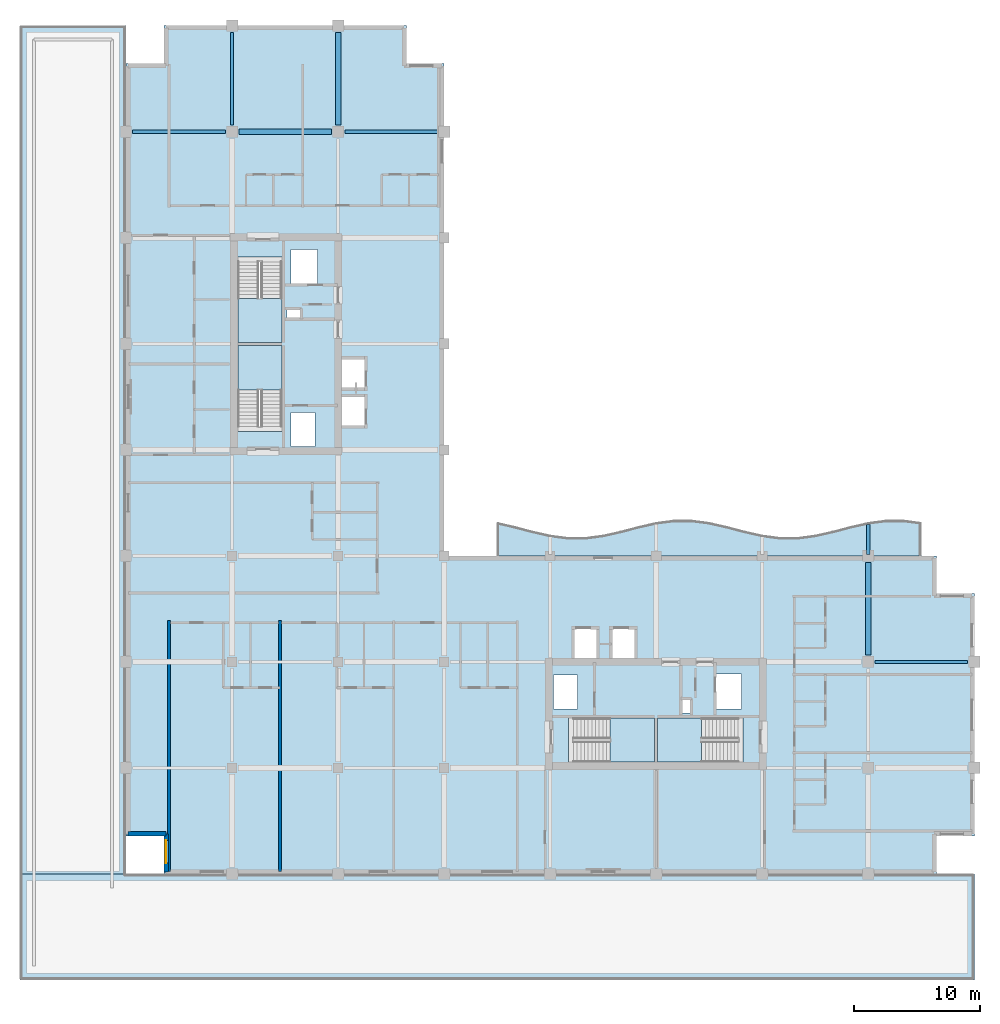
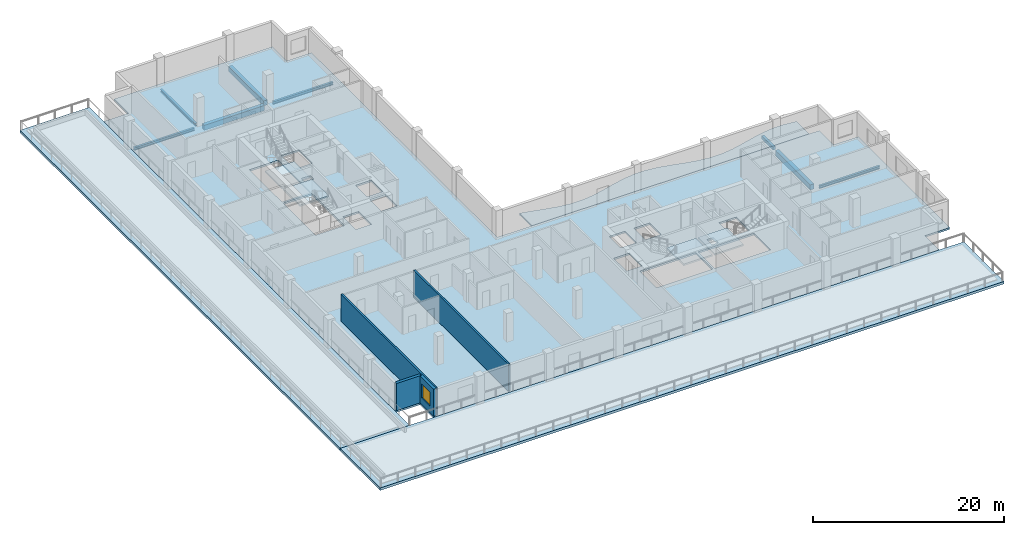
# One storey, part 2 of 13: 8 beams, 8 slabs, 4 walls, 1 window, 1 opening, 4 elements without a shape of their own.
"""IFC4 building model written with IfcOpenShell, lengths in metres."""

from ifc_helpers import new_model, si_unit, direction, frame, frame_2d, origin, origin_2d, place, context, subcontext, project, spatial, polyline, rectangle, i_section, outline, extrude, material, layer, layer_set, material_profile, profile_set, type_object, element, fill, aggregate, save


model = new_model("IFC4")

# Units and contexts
model_context = context("Model", 3, precision=1e-05, world=origin(), true_north=direction((0.0, 1.0)))
body_context = subcontext(model_context, "Body", "Model", "MODEL_VIEW")
ifc_project = project(units=[si_unit("LENGTHUNIT", "METRE"), si_unit("AREAUNIT", "SQUARE_METRE"), si_unit("VOLUMEUNIT", "CUBIC_METRE"), si_unit("PLANEANGLEUNIT", "RADIAN"), si_unit("MASSUNIT", "GRAM", prefix="KILO")], contexts=[model_context])

# Site, building, storey
site_placement = place(None, origin())
site = spatial("IfcSite", under=ifc_project, at=site_placement, CompositionType="ELEMENT")
building_placement = place(site_placement, origin())
building = spatial("IfcBuilding", under=site, at=building_placement, Name="Koriwani Terraces Tower", CompositionType="ELEMENT")
storey_placement = place(building_placement, frame((0.0, 0.0, 234.199951171875)))
storey = spatial("IfcBuildingStorey", under=building, at=storey_placement, Name="L57", CompositionType="ELEMENT", Elevation=234.199951171875)

# Beams
ifc_material_1 = material(Name="Concrete C40/50", Category="concrete")
ifc_material_profile_1 = material_profile(ifc_material_1, rectangle(XDim=0.300048828125, YDim=0.39990234375, at=origin_2d()), Name="Concrete C40/50", Category="LoadBearing")
ifc_profile_set_1 = profile_set([ifc_material_profile_1], Name="Concrete C40/50")
beam_type_1 = type_object("IfcBeamType", Name="BEAM_RC_BALCONY_RIB_300X400", PredefinedType="JOIST", material=ifc_profile_set_1)
beam_1_placement = place(storey_placement, frame((67.199951171875, 33.699951171875, -0.429931640625), z_axis=(0.0, 1.0, 0.0), x_axis=(-1.0, 0.0, 0.0)))
element("IfcBeam", 1, at=beam_1_placement, inside=storey, type_object=beam_type_1, Name="L57 Balcony Bracket Rib NE-4", PredefinedType="JOIST", context=body_context, shape_type="SweptSolid", body=[
    extrude(rectangle(XDim=0.300048828125, YDim=0.39990234375, at=origin_2d()), origin(), (0.0, 0.0, 1.0), 2.39208984375),
])
ifc_material_2 = material(Name="Concrete C50/60", Category="concrete")
ifc_material_profile_2 = material_profile(ifc_material_2, rectangle(XDim=0.449951171875, YDim=0.64990234375, at=origin_2d()), Name="Concrete C50/60", Category="LoadBearing")
ifc_profile_set_2 = profile_set([ifc_material_profile_2], Name="Concrete C50/60")
beam_type_2 = type_object("IfcBeamType", Name="BEAM_RC_GRID_450X650", PredefinedType="BEAM", material=ifc_profile_set_2)
beam_2_placement = place(storey_placement, frame((17.330078125, 67.199951171875, -0.554931640625), z_axis=(1.0, 0.0, 0.0), x_axis=(0.0, 1.0, 0.0)))
element("IfcBeam", 2, at=beam_2_placement, inside=storey, type_object=beam_type_2, Name="L57 Grid Beam I (16.8-25.2m)", PredefinedType="BEAM", context=body_context, shape_type="SweptSolid", body=[
    extrude(rectangle(XDim=0.449951171875, YDim=0.64990234375, at=origin_2d()), origin(), (0.0, 0.0, 1.0), 7.33984375),
])
for number, where, z_axis, x_axis, name in (
    (3, (25.199951171875, 67.72998046875, -0.554931640625), (0.0, 1.0, 0.0), (-1.0, 0.0, 0.0), "L57 Grid Beam 4 (67.2-75.6m)"),
    (4, (67.199951171875, 25.72998046875, -0.554931640625), (0.0, 1.0, 0.0), (-1.0, 0.0, 0.0), "L57 Grid Beam 9 (25.2-33.6m)"),
):
    element("IfcBeam", number, at=place(storey_placement, frame(where, z_axis=z_axis, x_axis=x_axis)), inside=storey, type_object=beam_type_2, Name=name, PredefinedType="BEAM", context=body_context, shape_type="SweptSolid", body=[
        extrude(rectangle(XDim=0.449951171875, YDim=0.64990234375, at=origin_2d()), origin(), (0.0, 0.0, 1.0), 7.340087890625),
    ])
ifc_material_3 = material(Name="Steel ASTM A572 Grade 50", Category="steel")
ifc_material_profile_3 = material_profile(ifc_material_3, i_section(OverallWidth=0.257080078125, OverallDepth=0.363037109375, WebThickness=0.012939453125, FlangeThickness=0.021728515625, at=origin_2d()), Name="Steel ASTM A572 Grade 50", Category="LoadBearing")
ifc_profile_set_3 = profile_set([ifc_material_profile_3], Name="Steel ASTM A572 Grade 50")
beam_type_3 = type_object("IfcBeamType", Name="STEEL_BEAM_W360X122", PredefinedType="JOIST", material=ifc_profile_set_3)
for number, where, z_axis, x_axis, name in (
    (5, (67.72998046875, 25.199951171875, -0.411376953125), (1.0, 0.0, 0.0), (0.0, 1.0, 0.0), "L57 Grid Beam D (67.2-75.6m)"),
    (6, (8.929931640625, 67.199951171875, -0.411376953125), (1.0, 0.0, 0.0), (0.0, 1.0, 0.0), "L57 Grid Beam I (8.4-16.8m)"),
    (7, (25.72998046875, 67.199951171875, -0.411376953125), (1.0, 0.0, 0.0), (0.0, 1.0, 0.0), "L57 Grid Beam I (25.2-33.6m)"),
    (8, (16.800048828125, 67.72998046875, -0.411376953125), (0.0, 1.0, 0.0), (-1.0, 0.0, 0.0), "L57 Grid Beam 3 (67.2-75.6m)"),
):
    element("IfcBeam", number, at=place(storey_placement, frame(where, z_axis=z_axis, x_axis=x_axis)), inside=storey, type_object=beam_type_3, Name=name, PredefinedType="JOIST", context=body_context, shape_type="SweptSolid", body=[
        extrude(i_section(OverallWidth=0.257080078125, OverallDepth=0.363037109375, WebThickness=0.012939453125, FlangeThickness=0.021728515625, at=origin_2d()), origin(), (0.0, 0.0, 1.0), 7.340087890625),
    ])

# Slabs
ifc_layer_1 = layer(ifc_material_1, 0.219970703125, Name="Concrete C40/50")
ifc_layer_set_1 = layer_set([ifc_layer_1], Name="Concrete C40/50")
slab_type_1 = type_object("IfcSlabType", Name="SLAB_BALCONY_220", PredefinedType="FLOOR", material=ifc_layer_set_1)
slab_1_placement = place(storey_placement, frame((0.0, 0.0, -0.219970703125)))
element("IfcSlab", 9, at=slab_1_placement, inside=storey, type_object=slab_type_1, Name="L57 Quilted Circular-Arc Balcony (NE)", PredefinedType="FLOOR", context=body_context, shape_type="SweptSolid", body=[
    extrude(outline(polyline([(71.39990234375, 33.60009765625), (70.0, 33.60009765625), (68.60009765625, 33.60009765625), (67.199951171875, 33.60009765625), (65.800048828125, 33.60009765625), (64.39990234375, 33.60009765625), (63.0, 33.60009765625), (61.60009765625, 33.60009765625), (60.199951171875, 33.60009765625), (58.800048828125, 33.60009765625), (57.39990234375, 33.60009765625), (56.0, 33.60009765625), (54.60009765625, 33.60009765625), (53.199951171875, 33.60009765625), (51.800048828125, 33.60009765625), (50.39990234375, 33.60009765625), (49.0, 33.60009765625), (47.60009765625, 33.60009765625), (46.199951171875, 33.60009765625), (44.800048828125, 33.60009765625), (43.39990234375, 33.60009765625), (42.0, 33.60009765625), (40.60009765625, 33.60009765625), (39.199951171875, 33.60009765625), (37.800048828125, 33.60009765625), (37.800048828125, 36.241943359375), (39.199951171875, 35.923828125), (40.60009765625, 35.55615234375), (42.0, 35.238037109375), (43.39990234375, 35.05419921875), (44.800048828125, 35.05419921875), (46.199951171875, 35.238037109375), (47.60009765625, 35.55615234375), (49.0, 35.923828125), (50.39990234375, 36.241943359375), (51.800048828125, 36.42578125), (53.199951171875, 36.42578125), (54.60009765625, 36.241943359375), (56.0, 35.923828125), (57.39990234375, 35.55615234375), (58.800048828125, 35.238037109375), (60.199951171875, 35.05419921875), (61.60009765625, 35.05419921875), (63.0, 35.238037109375), (64.39990234375, 35.55615234375), (65.800048828125, 35.923828125), (67.199951171875, 36.241943359375), (68.60009765625, 36.42578125), (70.0, 36.42578125), (71.39990234375, 36.241943359375), (71.39990234375, 33.60009765625)])), origin(), (0.0, 0.0, 1.0), 0.219970703125),
])
ifc_layer_2 = layer(ifc_material_1, 0.22998046875, Name="Concrete C40/50")
ifc_layer_set_2 = layer_set([ifc_layer_2], Name="Concrete C40/50")
slab_type_2 = type_object("IfcSlabType", Name="SLAB_RES_TYP_230", PredefinedType="FLOOR", material=ifc_layer_set_2)
slab_2_placement = place(storey_placement, frame((0.0, 0.0, -0.22998046875)))
element("IfcSlab", 10, at=slab_2_placement, inside=storey, type_object=slab_type_2, Name="L57 Structural Floor Slab", PredefinedType="FLOOR", context=body_context, shape_type="SweptSolid", body=[
    extrude(outline(polyline([(11.39990234375, 8.39990234375), (72.60009765625, 8.39990234375), (72.60009765625, 11.39990234375), (75.60009765625, 11.39990234375), (75.60009765625, 30.60009765625), (72.60009765625, 30.60009765625), (72.60009765625, 33.60009765625), (33.60009765625, 33.60009765625), (33.60009765625, 72.60009765625), (30.60009765625, 72.60009765625), (30.60009765625, 75.60009765625), (11.39990234375, 75.60009765625), (11.39990234375, 72.60009765625), (8.39990234375, 72.60009765625), (8.39990234375, 11.39990234375), (11.39990234375, 11.39990234375), (11.39990234375, 8.39990234375)]), holes=[polyline([(17.25, 43.4599609375), (20.75, 43.4599609375), (20.75, 50.25), (17.25, 50.25), (17.25, 43.4599609375)]), polyline([(17.25, 50.5), (20.75, 50.5), (20.75, 57.2900390625), (17.25, 57.2900390625), (17.25, 50.5)]), polyline([(43.4599609375, 17.25), (50.25, 17.25), (50.25, 20.75), (43.4599609375, 20.75), (43.4599609375, 17.25)]), polyline([(50.5, 17.25), (57.2900390625, 17.25), (57.2900390625, 20.75), (50.5, 20.75), (50.5, 17.25)]), polyline([(25.449951171875, 43.85009765625), (27.35009765625, 43.85009765625), (27.35009765625, 46.25), (25.449951171875, 46.25), (25.449951171875, 43.85009765625)]), polyline([(25.449951171875, 46.85009765625), (27.35009765625, 46.85009765625), (27.35009765625, 49.25), (25.449951171875, 49.25), (25.449951171875, 46.85009765625)]), polyline([(43.85009765625, 25.449951171875), (45.75, 25.449951171875), (45.75, 27.85009765625), (43.85009765625, 27.85009765625), (43.85009765625, 25.449951171875)]), polyline([(46.85009765625, 25.449951171875), (48.75, 25.449951171875), (48.75, 27.85009765625), (46.85009765625, 27.85009765625), (46.85009765625, 25.449951171875)]), polyline([(21.449951171875, 55.050048828125), (23.550048828125, 55.050048828125), (23.550048828125, 57.85009765625), (21.449951171875, 57.85009765625), (21.449951171875, 55.050048828125)]), polyline([(55.050048828125, 21.449951171875), (57.14990234375, 21.449951171875), (57.14990234375, 24.25), (55.050048828125, 24.25), (55.050048828125, 21.449951171875)]), polyline([(21.449951171875, 42.25), (23.35009765625, 42.25), (23.35009765625, 44.949951171875), (21.449951171875, 44.949951171875), (21.449951171875, 42.25)]), polyline([(42.25, 21.449951171875), (44.14990234375, 21.449951171875), (44.14990234375, 24.14990234375), (42.25, 24.14990234375), (42.25, 21.449951171875)]), polyline([(21.14990234375, 52.419921875), (22.219970703125, 52.419921875), (22.219970703125, 53.179931640625), (21.14990234375, 53.179931640625), (21.14990234375, 52.419921875)]), polyline([(52.419921875, 21.14990234375), (53.179931640625, 21.14990234375), (53.179931640625, 22.219970703125), (52.419921875, 22.219970703125), (52.419921875, 21.14990234375)])]), origin(), (0.0, 0.0, 1.0), 0.22998046875),
])
ifc_layer_3 = layer(ifc_material_2, 0.320068359375, Name="Concrete C50/60")
ifc_layer_set_3 = layer_set([ifc_layer_3], Name="Concrete C50/60")
slab_type_3 = type_object("IfcSlabType", Name="SLAB_SKY_TERRACE_ROOF_320", PredefinedType="ROOF", material=ifc_layer_set_3)
slab_3_placement = place(storey_placement, frame((0.0, 0.0, -0.320068359375)))
element("IfcSlab", 11, at=slab_3_placement, inside=storey, type_object=slab_type_3, Name="L57 Planted Sky-Garden Setback Terrace Slab-S", PredefinedType="ROOF", context=body_context, shape_type="SweptSolid", body=[
    extrude(outline(polyline([(0.0, 0.0), (75.60009765625, 0.0), (75.60009765625, 8.39990234375), (0.0, 8.39990234375), (0.0, 0.0)])), origin(), (0.0, 0.0, 1.0), 0.320068359375),
])
slab_4_placement = place(storey_placement, frame((0.0, 0.0, -0.320068359375)))
element("IfcSlab", 12, at=slab_4_placement, inside=storey, type_object=slab_type_3, Name="L57 Planted Sky-Garden Setback Terrace Slab-W", PredefinedType="ROOF", context=body_context, shape_type="SweptSolid", body=[
    extrude(outline(polyline([(0.0, 8.39990234375), (8.39990234375, 8.39990234375), (8.39990234375, 75.60009765625), (0.0, 75.60009765625), (0.0, 8.39990234375)])), origin(), (0.0, 0.0, 1.0), 0.320068359375),
])

# Stair, slab
stair_type = type_object("IfcStairType", Name="STAIR_CORE_DOGLEG_1650", PredefinedType="TWO_STRAIGHT_RUN_STAIR", material=ifc_material_1)
stair_1_placement = place(storey_placement, origin())
stair_1 = element("IfcStair", 13, at=stair_1_placement, inside=storey, type_object=stair_type, Name="L57 West Core Exit Stair 1", PredefinedType="HALF_TURN_STAIR")
ifc_layer_4 = layer(ifc_material_1, 0.199951171875, Name="Concrete C40/50")
ifc_layer_set_4 = layer_set([ifc_layer_4], Name="Concrete C40/50")
slab_type_4 = type_object("IfcSlabType", Name="SLAB_STAIR_LANDING_200", PredefinedType="LANDING", material=ifc_layer_set_4)
slab_5_placement = place(storey_placement, frame((0.0, 0.0, 1.650146484375)))
slab_5 = element("IfcSlab", 14, at=slab_5_placement, type_object=slab_type_4, Name="ST-W1 landing 1", PredefinedType="LANDING", context=body_context, shape_type="SweptSolid", body=[
    extrude(outline(polyline([(20.75, 46.75), (20.75, 50.25), (17.25, 50.25), (17.25, 46.75), (20.75, 46.75)])), origin(), (0.0, 0.0, 1.0), 0.199951171875),
])
aggregate(stair_1, [slab_5])

stair_2_placement = place(storey_placement, origin())
stair_2 = element("IfcStair", 15, at=stair_2_placement, inside=storey, type_object=stair_type, Name="L57 West Core Exit Stair 2", PredefinedType="HALF_TURN_STAIR")
slab_6_placement = place(storey_placement, frame((0.0, 0.0, 1.650146484375)))
slab_6 = element("IfcSlab", 16, at=slab_6_placement, type_object=slab_type_4, Name="ST-W2 landing 1", PredefinedType="LANDING", context=body_context, shape_type="SweptSolid", body=[
    extrude(outline(polyline([(17.25, 54.0), (17.25, 50.5), (20.75, 50.5), (20.75, 54.0), (17.25, 54.0)])), origin(), (0.0, 0.0, 1.0), 0.199951171875),
])
aggregate(stair_2, [slab_6])

stair_3_placement = place(storey_placement, origin())
stair_3 = element("IfcStair", 17, at=stair_3_placement, inside=storey, type_object=stair_type, Name="L57 East Core Exit Stair 1", PredefinedType="HALF_TURN_STAIR")
slab_7_placement = place(storey_placement, frame((0.0, 0.0, 1.650146484375)))
slab_7 = element("IfcSlab", 18, at=slab_7_placement, type_object=slab_type_4, Name="ST-E1 landing 1", PredefinedType="LANDING", context=body_context, shape_type="SweptSolid", body=[
    extrude(outline(polyline([(46.75, 17.25), (50.25, 17.25), (50.25, 20.75), (46.75, 20.75), (46.75, 17.25)])), origin(), (0.0, 0.0, 1.0), 0.199951171875),
])
aggregate(stair_3, [slab_7])

stair_4_placement = place(storey_placement, origin())
stair_4 = element("IfcStair", 19, at=stair_4_placement, inside=storey, type_object=stair_type, Name="L57 East Core Exit Stair 2", PredefinedType="HALF_TURN_STAIR")
slab_8_placement = place(storey_placement, frame((0.0, 0.0, 1.650146484375)))
slab_8 = element("IfcSlab", 20, at=slab_8_placement, type_object=slab_type_4, Name="ST-E2 landing 1", PredefinedType="LANDING", context=body_context, shape_type="SweptSolid", body=[
    extrude(outline(polyline([(54.0, 20.75), (50.5, 20.75), (50.5, 17.25), (54.0, 17.25), (54.0, 20.75)])), origin(), (0.0, 0.0, 1.0), 0.199951171875),
])
aggregate(stair_4, [slab_8])

# Walls
ifc_material_4 = material(Name="Autoclaved Cellular Concrete Blockwork", Category="masonry")
ifc_layer_5 = layer(ifc_material_4, 0.219970703125, Name="Autoclaved Cellular Concrete Blockwork")
ifc_layer_set_5 = layer_set([ifc_layer_5], Name="Autoclaved Cellular Concrete Blockwork")
wall_type_1 = type_object("IfcWallType", Name="WALL_DEMISING_220", PredefinedType="PARTITIONING", material=ifc_layer_set_5)
for number, where, z_axis, x_axis, name in (
    (21, (11.800048828125, 8.60009765625, 0.0), (0.0, 0.0, 1.0), (0.0, 1.0, 0.0), "L57 Interior Wall WRDEM-L57-SW-0"),
    (22, (20.60009765625, 8.60009765625, 0.0), (0.0, 0.0, 1.0), (0.0, 1.0, 0.0), "L57 Interior Wall WRDEM-L57-SW-1"),
):
    element("IfcWall", number, at=place(storey_placement, frame(where, z_axis=z_axis, x_axis=x_axis)), inside=storey, type_object=wall_type_1, Name=name, PredefinedType="PARTITIONING", context=body_context, shape_type="SweptSolid", body=[
        extrude(rectangle(XDim=19.8798828125, YDim=0.219970703125, at=frame_2d((9.93994140625, 0.0))), origin(), (0.0, 0.0, 1.0), 3.469970703125),
    ])

# Wall, opening, window
ifc_layer_6 = layer(ifc_material_2, 0.35009765625, Name="Concrete C50/60")
ifc_layer_set_6 = layer_set([ifc_layer_6], Name="Concrete C50/60")
wall_type_2 = type_object("IfcWallType", Name="WALL_EXT_BRUTALIST_350", PredefinedType="STANDARD", material=ifc_layer_set_6)
wall_1_placement = place(storey_placement, frame((11.574951171875, 8.574951171875, 0.0), z_axis=(0.0, 0.0, 1.0), x_axis=(0.0, 1.0, 0.0)))
wall_1 = element("IfcWall", 23, at=wall_1_placement, inside=storey, type_object=wall_type_2, Name="L57 Fair-Faced Brutalist Exterior Wall (N0)", PredefinedType="STANDARD", context=body_context, shape_type="SweptSolid", body=[
    extrude(rectangle(XDim=3.0, YDim=0.35009765625, at=frame_2d((1.5, 0.0))), origin(), (0.0, 0.0, 1.0), 3.469970703125),
])
opening_placement = place(wall_1_placement, frame((0.677490234375, 0.0, 0.85009765625)))
opening = element("IfcOpeningElement", 24, at=opening_placement, cuts=wall_1, Name="Opening W-04", PredefinedType="OPENING", context=body_context, shape_type="SweptSolid", body=[
    extrude(rectangle(XDim=1.800048828125, YDim=1.800048828125, at=frame_2d((0.89990234375, 0.89990234375))), frame((0.0, 0.18505859375, 0.0), z_axis=(0.0, -1.0, 0.0), x_axis=(1.0, 0.0, 0.0)), (0.0, 0.0, 1.0), 0.3701171875),
])
ifc_material_5 = material(Name="Tempered Laminated Low-E Glass", Category="glass")
window_type = type_object("IfcWindowType", Name="WIN_RES_BED_1800X1800", PartitioningType="DOUBLE_PANEL_VERTICAL", PredefinedType="WINDOW", material=ifc_material_5)
window_placement = place(opening_placement, origin())
window = element("IfcWindow", 25, at=window_placement, inside=storey, type_object=window_type, Name="L57 Exterior Window (N0-R31)", OverallHeight=1.800048828125, OverallWidth=1.800048828125, PartitioningType="SINGLE_PANEL", PredefinedType="WINDOW", context=body_context, shape_type="SweptSolid", body=[
    extrude(rectangle(XDim=1.800048828125, YDim=1.800048828125, at=frame_2d((0.89990234375, 0.89990234375))), frame((0.0, 0.030029296875, 0.0), z_axis=(0.0, -1.0, 0.0), x_axis=(1.0, 0.0, 0.0)), (0.0, 0.0, 1.0), 0.06005859375),
])
fill(opening, window)

# Wall
wall_2_placement = place(storey_placement, frame((11.574951171875, 11.574951171875, 0.0), z_axis=(0.0, 0.0, 1.0), x_axis=(-1.0, 0.0, 0.0)))
element("IfcWall", 26, at=wall_2_placement, inside=storey, type_object=wall_type_2, Name="L57 Fair-Faced Brutalist Exterior Wall (N1)", PredefinedType="STANDARD", context=body_context, shape_type="SweptSolid", body=[
    extrude(rectangle(XDim=3.0, YDim=0.35009765625, at=frame_2d((1.5, 0.0))), origin(), (0.0, 0.0, 1.0), 3.469970703125),
])

save(model, "model.ifc")
